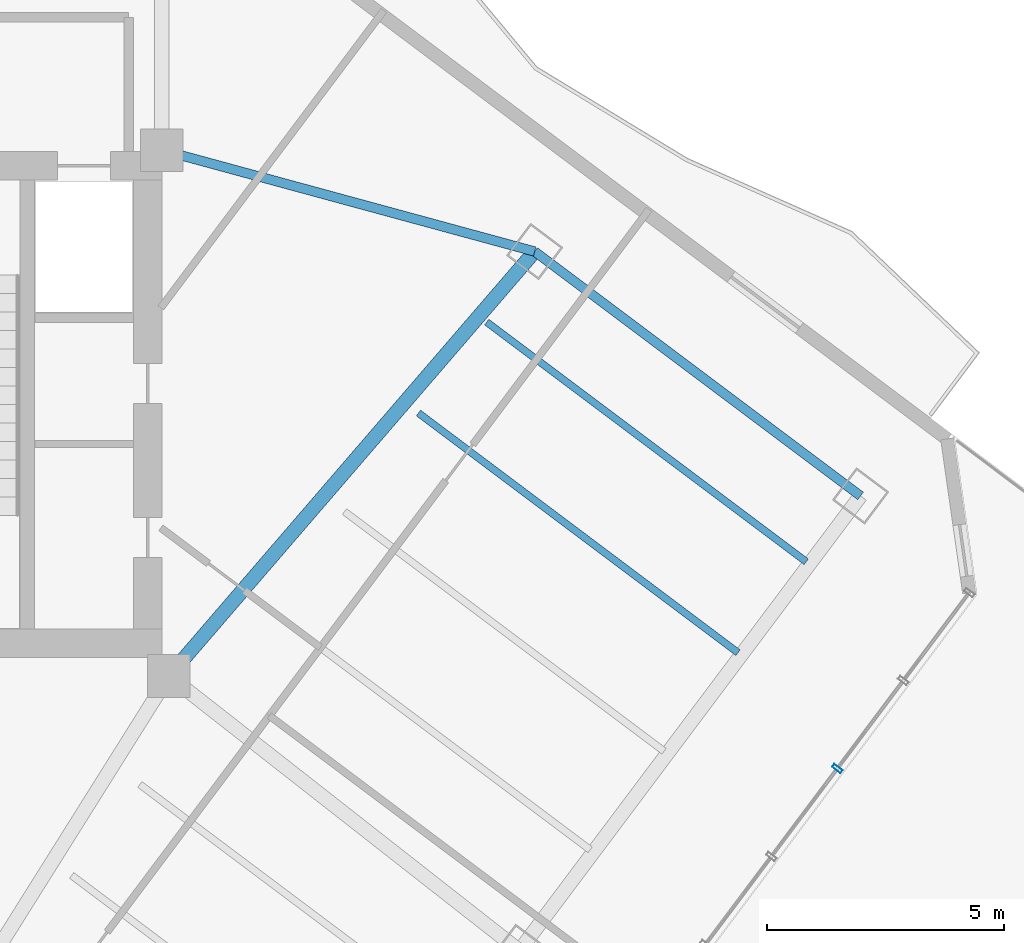
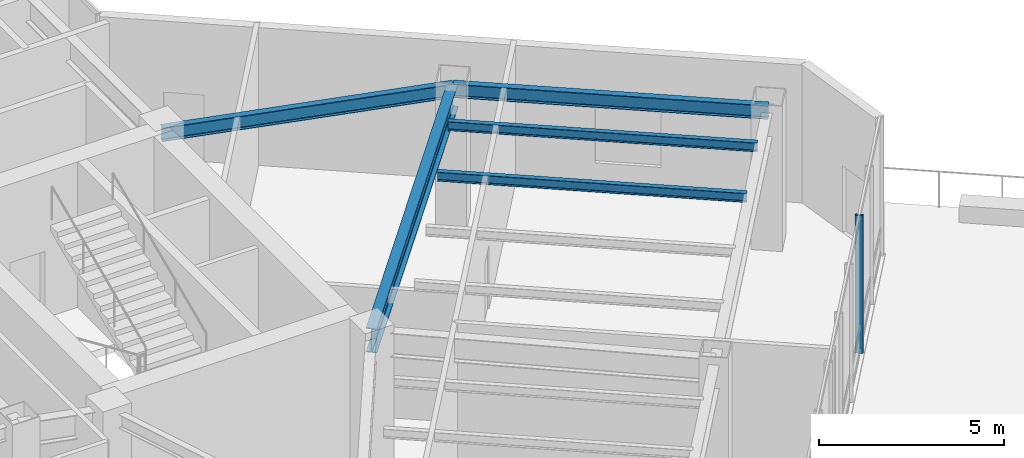
# One storey, part 13 of 30: 5 beams, 1 member, 1 element without a shape of its own.
"""IFC4 building model written with IfcOpenShell, lengths in metres."""

from ifc_helpers import new_model, si_unit, direction, frame, origin, origin_2d, place, context, subcontext, project, spatial, hollow_rectangle, i_section, extrude, material, layer, layer_set, material_profile, profile_set, type_object, element, aggregate, save


model = new_model("IFC4")

# Units and contexts
model_context = context("Model", 3, precision=1e-05, world=origin(), true_north=direction((0.0, 1.0)))
body_context = subcontext(model_context, "Body", "Model", "MODEL_VIEW")
ifc_project = project(units=[si_unit("LENGTHUNIT", "METRE"), si_unit("AREAUNIT", "SQUARE_METRE"), si_unit("VOLUMEUNIT", "CUBIC_METRE"), si_unit("PLANEANGLEUNIT", "RADIAN"), si_unit("MASSUNIT", "GRAM", prefix="KILO")], contexts=[model_context])

# Site, building, storey
site_placement = place(None, origin())
site = spatial("IfcSite", under=ifc_project, at=site_placement, CompositionType="ELEMENT")
building_placement = place(site_placement, origin())
building = spatial("IfcBuilding", under=site, at=building_placement, Name="Hatsunagi Terrace Concourse", CompositionType="ELEMENT")
storey_placement = place(building_placement, frame((0.0, 0.0, 130.050048828125)))
storey = spatial("IfcBuildingStorey", under=building, at=storey_placement, Name="L34", CompositionType="ELEMENT", Elevation=130.050048828125)

# Curtain wall, member
ifc_material_1 = material(Name="Anodised Aluminium Alloy 6063-T5", Category="aluminium")
ifc_layer = layer(ifc_material_1, 0.199951171875)
ifc_layer_set = layer_set([ifc_layer], Name="SkyLobbyAtrium_CW05")
curtain_wall_type = type_object("IfcCurtainWallType", Name="SkyLobbyAtrium_CW05", PredefinedType="NOTDEFINED", material=ifc_layer_set)
curtain_wall_placement = place(storey_placement, origin())
curtain_wall = element("IfcCurtainWall", 1, at=curtain_wall_placement, inside=storey, type_object=curtain_wall_type, Name="Unitised Curtain Wall CW-05 CW-L34-03", PredefinedType="NOTDEFINED")
ifc_material_2 = material(Name="Anodised Aluminium Alloy 6063-T5", Category="aluminium")
ifc_material_profile_1 = material_profile(ifc_material_2, hollow_rectangle(XDim=0.080078125, YDim=0.219970703125, WallThickness=0.0048828125, at=origin_2d()), Name="ALU-MUL-220x80x5")
ifc_profile_set_1 = profile_set([ifc_material_profile_1], Name="Anodised Aluminium Alloy 6063-T5")
member_type = type_object("IfcMemberType", Name="CurtainWallMullion_Heavy_220x80", PredefinedType="MULLION", material=ifc_profile_set_1)
member_placement = place(storey_placement, frame((57.908935546875, 22.2451171875, 0.0), z_axis=(0.0, 0.0, 1.0), x_axis=(-0.599969314634, -0.800023013105, 0.0)))
member = element("IfcMember", 2, at=member_placement, type_object=member_type, Name="Curtain Wall Mullion MUL-01", PredefinedType="MULLION", context=body_context, shape_type="SweptSolid", body=[
    extrude(hollow_rectangle(XDim=0.080078125, YDim=0.219970703125, WallThickness=0.0048828125, at=origin_2d()), origin(), (0.0, 0.0, 1.0), 4.550048828125),
])
aggregate(curtain_wall, [member])

# Beams
ifc_material_3 = material(Name="Steel SN490B", Category="steel")
ifc_material_profile_2 = material_profile(ifc_material_3, i_section(OverallWidth=0.14990234375, OverallDepth=0.300048828125, WebThickness=0.006591796875, FlangeThickness=0.009033203125, FilletRadius=0.010986328125, at=origin_2d()), Name="H-300x150x6.5x9")
ifc_profile_set_2 = profile_set([ifc_material_profile_2], Name="Steel SN490B")
beam_type_1 = type_object("IfcBeamType", Name="OfficeJoist_H_300x150", PredefinedType="JOIST", material=ifc_profile_set_2)
for number, where, z_axis, x_axis, name in (
    (3, (49.068115234375, 29.7490234375, 4.39990234375), (0.799989573921, -0.600013901187, 0.0), (0.600013901187, 0.799989573921, 0.0), "Beam J-03 J-L34-SE-2-194"),
    (4, (50.508056640625, 31.6689453125, 4.39990234375), (0.800003475366, -0.59999536615, 0.0), (0.59999536615, 0.800003475366, 0.0), "Beam J-03 J-L34-SE-2-218"),
):
    element("IfcBeam", number, at=place(storey_placement, frame(where, z_axis=z_axis, x_axis=x_axis)), inside=storey, type_object=beam_type_1, Name=name, PredefinedType="JOIST", context=body_context, shape_type="SweptSolid", body=[
        extrude(i_section(OverallWidth=0.14990234375, OverallDepth=0.300048828125, WebThickness=0.006591796875, FlangeThickness=0.009033203125, FilletRadius=0.010986328125, at=origin_2d()), origin(), (0.0, 0.0, 1.0), 8.429931640625),
    ])
ifc_material_4 = material(Name="Steel SN490B", Category="steel")
ifc_material_profile_3 = material_profile(ifc_material_4, i_section(OverallWidth=0.199951171875, OverallDepth=0.449951171875, WebThickness=0.009033203125, FlangeThickness=0.013916015625, FilletRadius=0.01611328125, at=origin_2d()), Name="H-450x200x9x14")
ifc_profile_set_3 = profile_set([ifc_material_profile_3], Name="Steel SN490B")
beam_type_2 = type_object("IfcBeamType", Name="PerimeterSpandrel_H_450x200", PredefinedType="SPANDREL", material=ifc_profile_set_3)
beam_1_placement = place(storey_placement, frame((43.64990234375, 35.300048828125, 4.324951171875), z_axis=(0.964958359286, -0.262403057994, 0.0), x_axis=(0.262403057994, 0.964958359286, 0.0)))
element("IfcBeam", 5, at=beam_1_placement, inside=storey, type_object=beam_type_2, Name="Beam SP-02 BM-L34-SE-NE0", PredefinedType="SPANDREL", context=body_context, shape_type="SweptSolid", body=[
    extrude(i_section(OverallWidth=0.199951171875, OverallDepth=0.449951171875, WebThickness=0.009033203125, FlangeThickness=0.013916015625, FilletRadius=0.01611328125, at=origin_2d()), origin(), (0.0, 0.0, 1.0), 8.156005859375),
])
beam_2_placement = place(storey_placement, frame((51.52001953125, 33.159912109375, 4.324951171875), z_axis=(0.8, -0.6, 0.0), x_axis=(0.6, 0.8, 0.0)))
element("IfcBeam", 6, at=beam_2_placement, inside=storey, type_object=beam_type_2, Name="Beam SP-02 BM-L34-SE-NE2", PredefinedType="SPANDREL", context=body_context, shape_type="SweptSolid", body=[
    extrude(i_section(OverallWidth=0.199951171875, OverallDepth=0.449951171875, WebThickness=0.009033203125, FlangeThickness=0.013916015625, FilletRadius=0.01611328125, at=origin_2d()), origin(), (0.0, 0.0, 1.0), 8.599853515625),
])
ifc_material_5 = material(Name="Steel SN490B", Category="steel")
ifc_material_profile_4 = material_profile(ifc_material_5, i_section(OverallWidth=0.300048828125, OverallDepth=0.800048828125, WebThickness=0.013916015625, FlangeThickness=0.02587890625, FilletRadius=0.02197265625, at=origin_2d()), Name="H-800x300x14x26")
ifc_profile_set_4 = profile_set([ifc_material_profile_4], Name="Steel SN490B")
beam_type_3 = type_object("IfcBeamType", Name="SkyLobbyGirder_H_800x300", PredefinedType="BEAM", material=ifc_profile_set_4)
beam_3_placement = place(storey_placement, frame((43.800048828125, 24.199951171875, 4.14990234375), z_axis=(0.652739101421, 0.757582777969, 0.0), x_axis=(-0.757582777969, 0.652739101421, 0.0)))
element("IfcBeam", 7, at=beam_3_placement, inside=storey, type_object=beam_type_3, Name="Beam G-03 BM-L34-SET-1B", PredefinedType="BEAM", context=body_context, shape_type="SweptSolid", body=[
    extrude(i_section(OverallWidth=0.300048828125, OverallDepth=0.800048828125, WebThickness=0.013916015625, FlangeThickness=0.02587890625, FilletRadius=0.02197265625, at=origin_2d()), origin(), (0.0, 0.0, 1.0), 11.8271484375),
])

save(model, "model.ifc")
